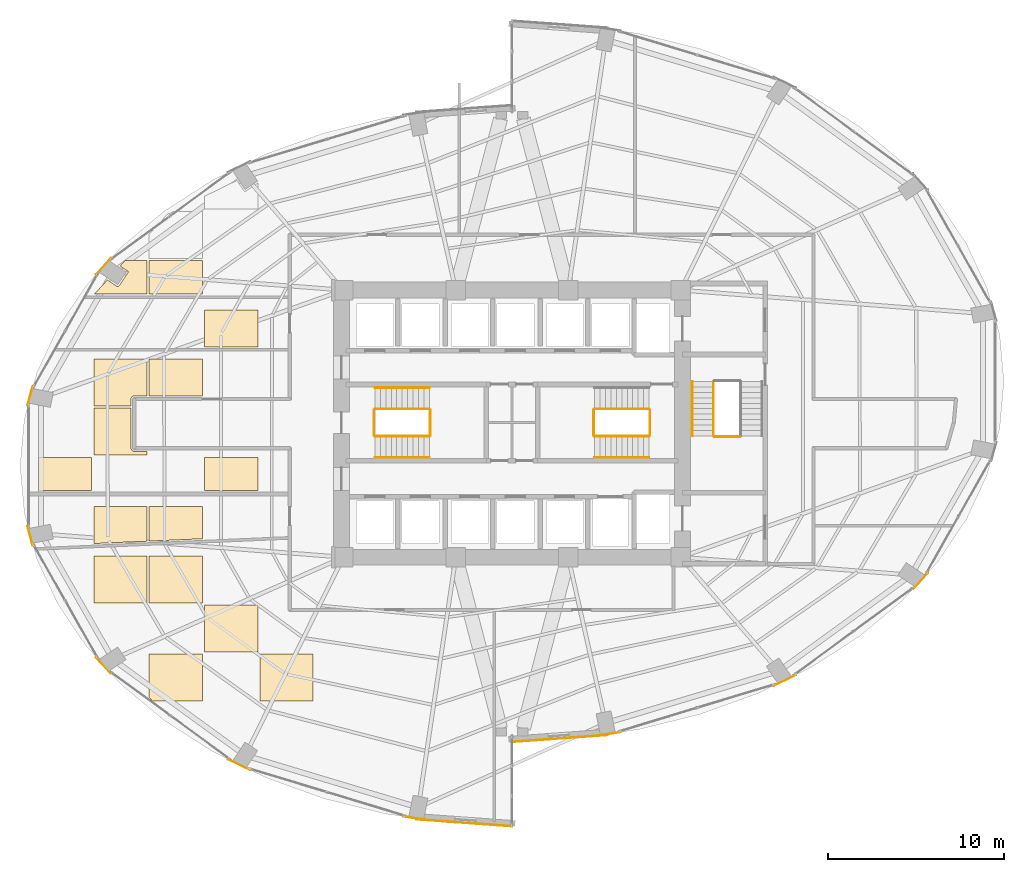
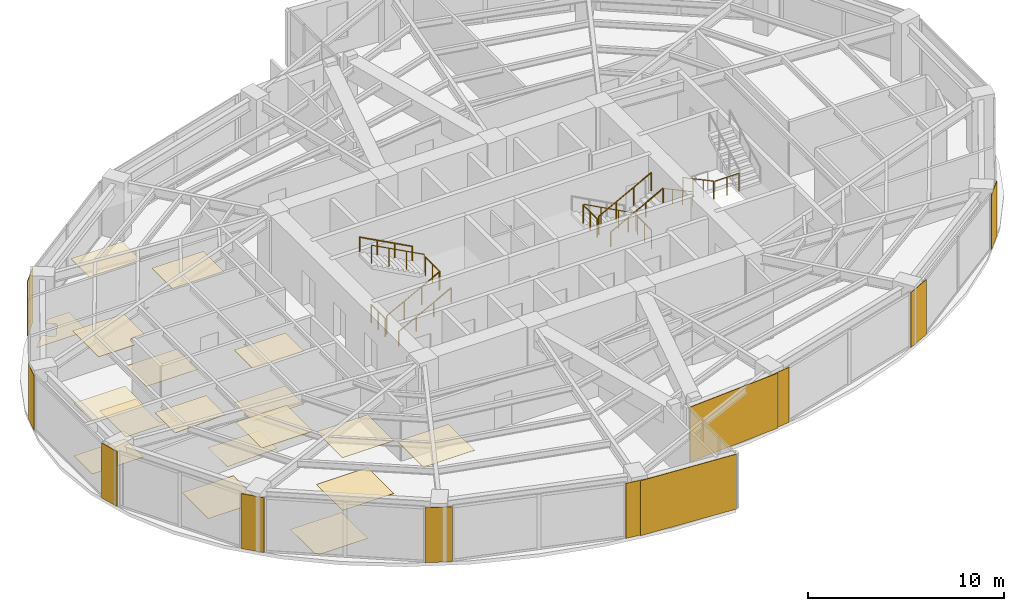
# One storey, part 24 of 25: 29 coverings, 14 railings.
"""IFC4 building model written with IfcOpenShell, lengths in metres."""

import ifcopenshell
import ifcopenshell.guid

model = None  # the IFC model being written
_history = None  # IfcOwnerHistory: only IFC2X3 demands one
_inside = {}  # id of a spatial element -> (the spatial element, [elements in it])
_under = {}  # id of a project, library or spatial element -> (it, [spatial elements below it])
_declared = {}  # id of a project -> (the project, [libraries it declares])
_typed = {}  # id of a type object -> (the type object, [elements of that type])
_made_of = {}  # id of a material, layer set ... -> (it, [elements and type objects made of it])


def new_model(schema):
    """Start an empty IFC model of exactly this schema.

    Asked for "IFC4X3", IfcOpenShell would pick the latest addendum, in which some entities
    have other attributes; the version numbers below select the first issue.
    IFC2X3 requires an IfcOwnerHistory on every rooted entity: one is made here for all.
    """
    global model, _history
    if schema == "IFC4X3":
        model = ifcopenshell.file(schema_version=(4, 3, 0, 0))
    else:
        model = ifcopenshell.file(schema=schema)
    _inside.clear()
    _under.clear()
    _declared.clear()
    _typed.clear()
    _made_of.clear()
    _history = None
    if model.schema == "IFC2X3":
        org = make("IfcOrganization", Name="unknown")
        user = make(
            "IfcPersonAndOrganization",
            ThePerson=make("IfcPerson", FamilyName="unknown"),
            TheOrganization=org,
        )
        app = make(
            "IfcApplication",
            ApplicationDeveloper=org,
            Version="unknown",
            ApplicationFullName="unknown",
            ApplicationIdentifier="unknown",
        )
        _history = make(
            "IfcOwnerHistory",
            OwningUser=user,
            OwningApplication=app,
            ChangeAction="ADDED",
            CreationDate=0,
        )
    return model


def make(cls, **values):
    """One entity of the class cls with the attributes given. An attribute that is None is left unset."""
    return model.create_entity(
        cls, **{name: value for name, value in values.items() if value is not None}
    )


def rooted(cls, **values):
    """An entity with a GlobalId (a new one), such as an element, a storey or a relation."""
    return make(cls, GlobalId=ifcopenshell.guid.new(), OwnerHistory=_history, **values)


def si_unit(unit_type, name, prefix=None):
    """IfcSIUnit, for example si_unit("LENGTHUNIT", "METRE", prefix="MILLI")."""
    return make("IfcSIUnit", UnitType=unit_type, Prefix=prefix, Name=name)


def assignment(units):
    """IfcUnitAssignment: the units of a project."""
    return None if units is None else make("IfcUnitAssignment", Units=units)


def point(xyz):
    """IfcCartesianPoint."""
    return None if xyz is None else make("IfcCartesianPoint", Coordinates=xyz)


def direction(xyz):
    """IfcDirection."""
    return None if xyz is None else make("IfcDirection", DirectionRatios=xyz)


def frame(location, z_axis=None, x_axis=None):
    """IfcAxis2Placement3D, a coordinate frame: its origin and axes. An axis left out is left unset."""
    return make(
        "IfcAxis2Placement3D",
        Location=point(location),
        Axis=direction(z_axis),
        RefDirection=direction(x_axis),
    )


def frame_2d(location, x_axis=None):
    """IfcAxis2Placement2D, a coordinate frame in the plane: its origin and x axis."""
    return make(
        "IfcAxis2Placement2D", Location=point(location), RefDirection=direction(x_axis)
    )


def origin():
    """The frame at (0, 0, 0) with its axes left unset."""
    return frame((0.0, 0.0, 0.0))


def origin_2d():
    """The frame at (0, 0) in the plane with its x axis left unset."""
    return frame_2d((0.0, 0.0))


def place(relative_to, where):
    """IfcLocalPlacement: puts the frame where relative to a parent placement (None: the world)."""
    return make(
        "IfcLocalPlacement", PlacementRelTo=relative_to, RelativePlacement=where
    )


def context(
    kind, dimensions, precision=None, world=None, true_north=None, identifier=None
):
    """IfcGeometricRepresentationContext, for example the 3D "Model" context."""
    return make(
        "IfcGeometricRepresentationContext",
        ContextIdentifier=identifier,
        ContextType=kind,
        CoordinateSpaceDimension=dimensions,
        Precision=precision,
        WorldCoordinateSystem=world,
        TrueNorth=true_north,
    )


def subcontext(parent, identifier, kind, view, scale=None):
    """IfcGeometricRepresentationSubContext, for example "Body" below "Model"."""
    return make(
        "IfcGeometricRepresentationSubContext",
        ContextIdentifier=identifier,
        ContextType=kind,
        ParentContext=parent,
        TargetScale=scale,
        TargetView=view,
    )


def project(units=None, contexts=None):
    """IfcProject with its units and contexts."""
    return rooted(
        "IfcProject",
        Name="project",
        RepresentationContexts=contexts,
        UnitsInContext=assignment(units),
    )


def spatial(cls, under=None, at=None, **own):
    """A site, building, storey or space (cls), placed at a placement, below another one or the project."""
    s = rooted(cls, ObjectPlacement=at, **own)
    if under is not None:
        _under.setdefault(under.id(), (under, []))[1].append(s)
    return s


def polyline(points):
    """IfcPolyline through the points."""
    return make("IfcPolyline", Points=[point(p) for p in points])


def profile(cls, at=None, kind="AREA", **sizes):
    """A parametric profile (cls). Its sizes go by their IFC names, for example OverallWidth=200.0."""
    return make(cls, ProfileType=kind, Position=at, **sizes)


def rectangle(**sizes):
    """IfcRectangleProfileDef."""
    return profile("IfcRectangleProfileDef", **sizes)


def circle(**sizes):
    """IfcCircleProfileDef."""
    return profile("IfcCircleProfileDef", **sizes)


def outline(outer, holes=None, kind="AREA"):
    """IfcArbitraryClosedProfileDef: a profile drawn as a closed curve; with holes, ...WithVoids."""
    if holes is None:
        return make("IfcArbitraryClosedProfileDef", ProfileType=kind, OuterCurve=outer)
    return make(
        "IfcArbitraryProfileDefWithVoids",
        ProfileType=kind,
        OuterCurve=outer,
        InnerCurves=holes,
    )


def extrude(swept, where, along, depth):
    """IfcExtrudedAreaSolid: the profile swept, set in the frame where, extruded along a direction by depth."""
    return make(
        "IfcExtrudedAreaSolid",
        SweptArea=swept,
        Position=where,
        ExtrudedDirection=direction(along),
        Depth=depth,
    )


def shape(context_of_items, identifier, shape_type, items):
    """IfcShapeRepresentation: the items that make up one representation, for example the "Body"."""
    return make(
        "IfcShapeRepresentation",
        ContextOfItems=context_of_items,
        RepresentationIdentifier=identifier,
        RepresentationType=shape_type,
        Items=items,
    )


def material(Name=None, Category=None):
    """IfcMaterial."""
    return make("IfcMaterial", Name=Name, Category=Category)


def layer(
    of_material, thickness, ventilated=None, Name=None, Category=None, Priority=None
):
    """IfcMaterialLayer: one layer of a wall or slab, of a material (None: an air gap)."""
    return make(
        "IfcMaterialLayer",
        Material=of_material,
        LayerThickness=thickness,
        IsVentilated=ventilated,
        Name=Name,
        Category=Category,
        Priority=Priority,
    )


def layer_set(layers, Name=None):
    """IfcMaterialLayerSet."""
    return make("IfcMaterialLayerSet", MaterialLayers=layers, LayerSetName=Name)


def made_of(thing, what):
    """Note that an element or type object is made of a material, layer set ...; save() writes the relation."""
    if what is not None:
        _made_of.setdefault(what.id(), (what, []))[1].append(thing)
    return thing


def type_object(cls, material=None, **own):
    """A type object (cls), such as IfcWallType, which elements share."""
    return made_of(rooted(cls, **own), material)


def element(
    cls,
    number,
    at=None,
    inside=None,
    cuts=None,
    type_object=None,
    material=None,
    context=None,
    identifier="Body",
    shape_type=None,
    held_by="IfcProductDefinitionShape",
    body=None,
    shapes=None,
    **own,
):
    """One element of the class cls, such as IfcWall. Its Tag is "e" and its number.

    at: its placement. inside: the storey or other place that contains it. cuts: it is an
    opening in that element (IfcRelVoidsElement). A single representation is given by context,
    identifier, shape_type and body (its items); several are given by shapes. held_by: the class
    of the entity that holds the representations. save() writes the other relations.
    """
    e = rooted(cls, Tag="e%d" % number, ObjectPlacement=at, **own)
    if body is not None:
        shapes = [shape(context, identifier, shape_type, body)]
    if shapes is not None:
        e.Representation = make(held_by, Representations=shapes)
    if inside is not None:
        _inside.setdefault(inside.id(), (inside, []))[1].append(e)
    if cuts is not None:
        rooted(
            "IfcRelVoidsElement", RelatingBuildingElement=cuts, RelatedOpeningElement=e
        )
    if type_object is not None:
        _typed.setdefault(type_object.id(), (type_object, []))[1].append(e)
    return made_of(e, material)


def aggregate(whole, parts):
    """IfcRelAggregates: a whole, such as a stair, and the parts it consists of."""
    return rooted("IfcRelAggregates", RelatingObject=whole, RelatedObjects=parts)


def save(model, path):
    """Write the relations noted so far, then the file.

    IfcRelAggregates (storeys below a building ...), IfcRelContainedInSpatialStructure (elements
    in a storey), IfcRelDefinesByType, IfcRelAssociatesMaterial and IfcRelDeclares: one each for
    every whole, place, type object, material and project.
    """
    for whole, parts in _under.values():
        aggregate(whole, parts)
    for where, things in _inside.values():
        rooted(
            "IfcRelContainedInSpatialStructure",
            RelatedElements=things,
            RelatingStructure=where,
        )
    for kind, things in _typed.values():
        rooted("IfcRelDefinesByType", RelatedObjects=things, RelatingType=kind)
    for what, things in _made_of.values():
        rooted("IfcRelAssociatesMaterial", RelatedObjects=things, RelatingMaterial=what)
    for by, libraries in _declared.values():
        rooted("IfcRelDeclares", RelatingContext=by, RelatedDefinitions=libraries)
    model.write(path)


model = new_model("IFC4")

# Units and contexts
model_context = context("Model", 3, precision=1e-05, world=origin(), true_north=direction((0.0, 1.0)))
body_context = subcontext(model_context, "Body", "Model", "MODEL_VIEW")
ifc_project = project(units=[si_unit("LENGTHUNIT", "METRE"), si_unit("AREAUNIT", "SQUARE_METRE"), si_unit("VOLUMEUNIT", "CUBIC_METRE"), si_unit("PLANEANGLEUNIT", "RADIAN"), si_unit("MASSUNIT", "GRAM", prefix="KILO")], contexts=[model_context])

# Site, building, storey
site_placement = place(None, origin())
site = spatial("IfcSite", under=ifc_project, at=site_placement, CompositionType="ELEMENT")
building_placement = place(site_placement, origin())
building = spatial("IfcBuilding", under=site, at=building_placement, Name="Lazwardi Medical Tower", CompositionType="ELEMENT")
storey_placement = place(building_placement, frame((0.0, 0.0, 43.43994140625)))
storey = spatial("IfcBuildingStorey", under=building, at=storey_placement, Name="L10", CompositionType="ELEMENT", Elevation=43.43994140625)

# Coverings
ifc_material_1 = material(Name="Anodised bronze aluminium cassette cladding", Category="aluminium")
ifc_layer_1 = layer(ifc_material_1, 0.030029296875)
ifc_layer_set_1 = layer_set([ifc_layer_1], Name="Anodised bronze aluminium cassette cladding")
covering_type_1 = type_object("IfcCoveringType", Name="COV-CLD-BRZ", PredefinedType="CLADDING", material=ifc_layer_set_1)
covering_1_placement = place(storey_placement, frame((41.454345703125, 10.33251953125, 0.0), z_axis=(0.0, 0.0, 1.0), x_axis=(0.98957259946, 0.144034962415, 0.0)))
element("IfcCovering", 1, at=covering_1_placement, inside=storey, type_object=covering_type_1, Name="L10 Mega-column bronze cassette cover M01", PredefinedType="CLADDING", context=body_context, shape_type="SweptSolid", body=[
    extrude(rectangle(XDim=1.49951171875, YDim=0.030029296875, at=origin_2d()), origin(), (0.0, 0.0, 1.0), 3.427978515625),
])
covering_2_placement = place(storey_placement, frame((51.532470703125, 13.3876953125, 0.0), z_axis=(0.0, 0.0, 1.0), x_axis=(0.898334492373, 0.439312121178, 0.0)))
element("IfcCovering", 2, at=covering_2_placement, inside=storey, type_object=covering_type_1, Name="L10 Mega-column bronze cassette cover M02", PredefinedType="CLADDING", context=body_context, shape_type="SweptSolid", body=[
    extrude(rectangle(XDim=1.400390625, YDim=0.030029296875, at=origin_2d()), origin(), (0.0, 0.0, 1.0), 3.427978515625),
])
for number, where, z_axis, x_axis, name in (
    (3, (59.24609375, 19.03271484375, 0.0), (0.0, 0.0, 1.0), (0.674252120961, 0.738501237223, 0.0), "L10 Mega-column bronze cassette cover M03"),
    (4, (12.75390625, 36.96728515625, 0.0), (0.0, 0.0, 1.0), (-0.674252120961, -0.738501237223, 0.0), "L10 Mega-column bronze cassette cover M11"),
):
    element("IfcCovering", number, at=place(storey_placement, frame(where, z_axis=z_axis, x_axis=x_axis)), inside=storey, type_object=covering_type_1, Name=name, PredefinedType="CLADDING", context=body_context, shape_type="SweptSolid", body=[
        extrude(rectangle(XDim=1.24658203125, YDim=0.030029296875, at=origin_2d()), origin(), (0.0, 0.0, 1.0), 3.427978515625),
    ])
for number, where, z_axis, x_axis, name in (
    (5, (8.579345703125, 29.591796875, 0.0), (0.0, 0.0, 1.0), (-0.262283496593, -0.964990863902, 0.0), "L10 Mega-column bronze cassette cover M12"),
    (6, (8.579345703125, 21.6083984375, 0.0), (0.0, 0.0, 1.0), (0.262283496593, -0.964990863902, 0.0), "L10 Mega-column bronze cassette cover M13"),
):
    element("IfcCovering", number, at=place(storey_placement, frame(where, z_axis=z_axis, x_axis=x_axis)), inside=storey, type_object=covering_type_1, Name=name, PredefinedType="CLADDING", context=body_context, shape_type="SweptSolid", body=[
        extrude(rectangle(XDim=1.12548828125, YDim=0.030029296875, at=origin_2d()), origin(), (0.0, 0.0, 1.0), 3.427978515625),
    ])
covering_3_placement = place(storey_placement, frame((12.75390625, 14.232666015625, 0.0), z_axis=(0.0, 0.0, 1.0), x_axis=(0.674252120961, -0.738501237223, 0.0)))
element("IfcCovering", 7, at=covering_3_placement, inside=storey, type_object=covering_type_1, Name="L10 Mega-column bronze cassette cover M14", PredefinedType="CLADDING", context=body_context, shape_type="SweptSolid", body=[
    extrude(rectangle(XDim=1.24658203125, YDim=0.030029296875, at=origin_2d()), origin(), (0.0, 0.0, 1.0), 3.427978515625),
])
covering_4_placement = place(storey_placement, frame((20.467529296875, 8.587646484375, 0.0), z_axis=(0.0, 0.0, 1.0), x_axis=(0.898334492373, -0.439312121178, 0.0)))
element("IfcCovering", 8, at=covering_4_placement, inside=storey, type_object=covering_type_1, Name="L10 Mega-column bronze cassette cover M15", PredefinedType="CLADDING", context=body_context, shape_type="SweptSolid", body=[
    extrude(rectangle(XDim=1.400390625, YDim=0.030029296875, at=origin_2d()), origin(), (0.0, 0.0, 1.0), 3.427978515625),
])
covering_5_placement = place(storey_placement, frame((30.545654296875, 5.53271484375, 0.0), z_axis=(0.0, 0.0, 1.0), x_axis=(0.98957259946, -0.144034962415, 0.0)))
element("IfcCovering", 9, at=covering_5_placement, inside=storey, type_object=covering_type_1, Name="L10 Mega-column bronze cassette cover M16", PredefinedType="CLADDING", context=body_context, shape_type="SweptSolid", body=[
    extrude(rectangle(XDim=1.49951171875, YDim=0.030029296875, at=origin_2d()), origin(), (0.0, 0.0, 1.0), 3.427978515625),
])
ifc_material_2 = material(Name="Turquoise glazed ceramic tilework cladding", Category="masonry")
ifc_layer_2 = layer(ifc_material_2, 0.034912109375)
ifc_layer_set_2 = layer_set([ifc_layer_2], Name="Turquoise glazed ceramic tilework cladding")
covering_type_2 = type_object("IfcCoveringType", Name="COV-CLD-TRQ", PredefinedType="CLADDING", material=ifc_layer_set_2)
covering_6_placement = place(storey_placement, frame((38.728271484375, 10.080322265625, 0.0), z_axis=(0.0, 0.0, 1.0), x_axis=(0.997421404513, 0.071767275412, 0.0)))
element("IfcCovering", 10, at=covering_6_placement, inside=storey, type_object=covering_type_2, Name="L10 Turquoise glazed ceramic tilework cladding", PredefinedType="CLADDING", context=body_context, shape_type="SweptSolid", body=[
    extrude(rectangle(XDim=5.4453125, YDim=0.034912109375, at=origin_2d()), origin(), (0.0, 0.0, 1.0), 3.427978515625),
])
covering_7_placement = place(storey_placement, frame((33.271484375, 5.280517578125, 0.0), z_axis=(0.0, 0.0, 1.0), x_axis=(0.997420903458, -0.071774238726, 0.0)))
element("IfcCovering", 11, at=covering_7_placement, inside=storey, type_object=covering_type_2, Name="L10 Turquoise glazed ceramic tilework cladding", PredefinedType="CLADDING", context=body_context, shape_type="SweptSolid", body=[
    extrude(rectangle(XDim=5.44482421875, YDim=0.034912109375, at=origin_2d()), origin(), (0.0, 0.0, 1.0), 3.427978515625),
])
ifc_material_3 = material(Name="Acoustic mineral fibre tile")
ifc_layer_3 = layer(ifc_material_3, 0.02490234375)
ifc_layer_set_3 = layer_set([ifc_layer_3], Name="Acoustic mineral fibre tile")
covering_type_3 = type_object("IfcCoveringType", Name="COV-CLG-01", PredefinedType="CEILING", material=ifc_layer_set_3)
covering_8_placement = place(storey_placement, frame((0.0, 0.0, 3.282958984375)))
element("IfcCovering", 12, at=covering_8_placement, inside=storey, type_object=covering_type_3, Name="L10 Clinical Acoustic Ceiling 1", PredefinedType="CEILING", context=body_context, shape_type="SweptSolid", body=[
    extrude(outline(polyline([(9.052978515625, 24.199951171875), (12.0830078125, 24.199951171875), (12.0830078125, 26.08251953125), (9.052978515625, 26.08251953125), (9.052978515625, 24.199951171875)])), origin(), (0.0, 0.0, 1.0), 0.025146484375),
])
covering_9_placement = place(storey_placement, frame((0.0, 0.0, 3.282958984375)))
element("IfcCovering", 13, at=covering_9_placement, inside=storey, type_object=covering_type_3, Name="L10 Clinical Acoustic Ceiling 2", PredefinedType="CEILING", context=body_context, shape_type="SweptSolid", body=[
    extrude(outline(polyline([(12.202880859375, 21.177978515625), (15.23291015625, 21.310546875), (15.23291015625, 23.282470703125), (12.202880859375, 23.282470703125), (12.202880859375, 21.177978515625)])), origin(), (0.0, 0.0, 1.0), 0.025146484375),
])
covering_10_placement = place(storey_placement, frame((0.0, 0.0, 3.282958984375)))
element("IfcCovering", 14, at=covering_10_placement, inside=storey, type_object=covering_type_3, Name="L10 Clinical Acoustic Ceiling 3", PredefinedType="CEILING", context=body_context, shape_type="SweptSolid", body=[
    extrude(outline(polyline([(14.324951171875, 29.00244140625), (14.324951171875, 29.39990234375), (14.3251953125, 29.404296875), (14.32568359375, 29.41357421875), (14.326416015625, 29.42041015625), (14.32763671875, 29.4296875), (14.3291015625, 29.43798828125), (14.33154296875, 29.447265625), (14.33349609375, 29.4541015625), (14.336669921875, 29.462890625), (14.340087890625, 29.470703125), (14.343994140625, 29.479248046875), (14.34765625, 29.486083984375), (14.352294921875, 29.493896484375), (14.35693359375, 29.500732421875), (14.362548828125, 29.50830078125), (14.3671875, 29.513916015625), (14.373291015625, 29.520751953125), (14.37939453125, 29.526611328125), (14.38623046875, 29.532958984375), (14.391845703125, 29.53759765625), (14.3994140625, 29.543212890625), (14.406005859375, 29.547607421875), (14.4140625, 29.552490234375), (14.4208984375, 29.555908203125), (14.42919921875, 29.56005859375), (14.43701171875, 29.563232421875), (14.44580078125, 29.56640625), (14.452880859375, 29.568603515625), (14.4619140625, 29.57080078125), (14.47021484375, 29.572509765625), (14.4794921875, 29.57373046875), (14.486328125, 29.574462890625), (14.49560546875, 29.574951171875), (14.5, 29.574951171875), (15.23291015625, 29.574951171875), (15.23291015625, 31.6826171875), (12.202880859375, 31.6826171875), (12.202880859375, 29.00244140625), (14.324951171875, 29.00244140625)])), origin(), (0.0, 0.0, 1.0), 0.025146484375),
])
covering_11_placement = place(storey_placement, frame((0.0, 0.0, 3.282958984375)))
element("IfcCovering", 15, at=covering_11_placement, inside=storey, type_object=covering_type_3, Name="L10 Clinical Acoustic Ceiling 4", PredefinedType="CEILING", context=body_context, shape_type="SweptSolid", body=[
    extrude(outline(polyline([(18.3828125, 17.802490234375), (18.3828125, 20.482421875), (15.352783203125, 20.482421875), (15.352783203125, 17.802490234375), (18.3828125, 17.802490234375)])), origin(), (0.0, 0.0, 1.0), 0.025146484375),
])
covering_12_placement = place(storey_placement, frame((0.0, 0.0, 3.282958984375)))
element("IfcCovering", 16, at=covering_12_placement, inside=storey, type_object=covering_type_3, Name="L10 Clinical Acoustic Ceiling 5", PredefinedType="CEILING", context=body_context, shape_type="SweptSolid", body=[
    extrude(outline(polyline([(15.352783203125, 35.364990234375), (18.3828125, 35.364990234375), (18.3828125, 37.282470703125), (15.352783203125, 37.282470703125), (15.352783203125, 35.364990234375)])), origin(), (0.0, 0.0, 1.0), 0.025146484375),
])
covering_13_placement = place(storey_placement, frame((0.0, 0.0, 3.282958984375)))
element("IfcCovering", 17, at=covering_13_placement, inside=storey, type_object=covering_type_3, Name="L10 Clinical Acoustic Ceiling 6", PredefinedType="CEILING", context=body_context, shape_type="SweptSolid", body=[
    extrude(outline(polyline([(21.532958984375, 15.00244140625), (21.532958984375, 17.6826171875), (18.5029296875, 17.6826171875), (18.5029296875, 15.00244140625), (21.532958984375, 15.00244140625)])), origin(), (0.0, 0.0, 1.0), 0.025146484375),
])
covering_14_placement = place(storey_placement, frame((0.0, 0.0, 3.282958984375)))
element("IfcCovering", 18, at=covering_14_placement, inside=storey, type_object=covering_type_3, Name="L10 Clinical Acoustic Ceiling 7", PredefinedType="CEILING", context=body_context, shape_type="SweptSolid", body=[
    extrude(outline(polyline([(18.5029296875, 24.199951171875), (21.532958984375, 24.199951171875), (21.532958984375, 26.08251953125), (18.5029296875, 26.08251953125), (18.5029296875, 24.199951171875)])), origin(), (0.0, 0.0, 1.0), 0.025146484375),
])
covering_15_placement = place(storey_placement, frame((0.0, 0.0, 3.282958984375)))
element("IfcCovering", 19, at=covering_15_placement, inside=storey, type_object=covering_type_3, Name="L10 Clinical Acoustic Ceiling 8", PredefinedType="CEILING", context=body_context, shape_type="SweptSolid", body=[
    extrude(outline(polyline([(18.5029296875, 32.364990234375), (21.532958984375, 32.364990234375), (21.532958984375, 34.482421875), (18.5029296875, 34.482421875), (18.5029296875, 32.364990234375)])), origin(), (0.0, 0.0, 1.0), 0.025146484375),
])
covering_16_placement = place(storey_placement, frame((0.0, 0.0, 3.282958984375)))
element("IfcCovering", 20, at=covering_16_placement, inside=storey, type_object=covering_type_3, Name="L10 Clinical Acoustic Ceiling 10", PredefinedType="CEILING", context=body_context, shape_type="SweptSolid", body=[
    extrude(outline(polyline([(24.682861328125, 12.202392578125), (24.682861328125, 14.882568359375), (21.65283203125, 14.882568359375), (21.65283203125, 12.202392578125), (24.682861328125, 12.202392578125)])), origin(), (0.0, 0.0, 1.0), 0.025146484375),
])
ifc_material_4 = material(Name="Anti-static hospital vinyl sheet flooring")
ifc_layer_4 = layer(ifc_material_4, 0.014892578125)
ifc_layer_set_4 = layer_set([ifc_layer_4], Name="Anti-static hospital vinyl sheet flooring")
covering_type_4 = type_object("IfcCoveringType", Name="COV-FLR-01", PredefinedType="FLOORING", material=ifc_layer_set_4)
covering_17_placement = place(storey_placement, origin())
element("IfcCovering", 21, at=covering_17_placement, inside=storey, type_object=covering_type_4, Name="L10 Clinical Vinyl Flooring 1", PredefinedType="FLOORING", context=body_context, shape_type="SweptSolid", body=[
    extrude(outline(polyline([(9.052978515625, 24.199951171875), (12.0830078125, 24.199951171875), (12.0830078125, 26.08251953125), (9.052978515625, 26.08251953125), (9.052978515625, 24.199951171875)])), origin(), (0.0, 0.0, 1.0), 0.01513671875),
])
covering_18_placement = place(storey_placement, origin())
element("IfcCovering", 22, at=covering_18_placement, inside=storey, type_object=covering_type_4, Name="L10 Clinical Vinyl Flooring 2", PredefinedType="FLOORING", context=body_context, shape_type="SweptSolid", body=[
    extrude(outline(polyline([(15.23291015625, 17.802490234375), (15.23291015625, 20.482421875), (12.202880859375, 20.482421875), (12.202880859375, 17.802490234375), (15.23291015625, 17.802490234375)])), origin(), (0.0, 0.0, 1.0), 0.01513671875),
])
covering_19_placement = place(storey_placement, origin())
element("IfcCovering", 23, at=covering_19_placement, inside=storey, type_object=covering_type_4, Name="L10 Clinical Vinyl Flooring 3", PredefinedType="FLOORING", context=body_context, shape_type="SweptSolid", body=[
    extrude(outline(polyline([(15.23291015625, 26.425048828125), (14.5, 26.425048828125), (14.49560546875, 26.425048828125), (14.486328125, 26.425537109375), (14.4794921875, 26.42626953125), (14.47021484375, 26.427490234375), (14.4619140625, 26.42919921875), (14.452880859375, 26.431396484375), (14.44580078125, 26.43359375), (14.43701171875, 26.436767578125), (14.42919921875, 26.43994140625), (14.4208984375, 26.444091796875), (14.4140625, 26.447509765625), (14.406005859375, 26.452392578125), (14.3994140625, 26.456787109375), (14.391845703125, 26.46240234375), (14.38623046875, 26.467041015625), (14.37939453125, 26.473388671875), (14.373291015625, 26.479248046875), (14.3671875, 26.486083984375), (14.362548828125, 26.49169921875), (14.35693359375, 26.499267578125), (14.352294921875, 26.506103515625), (14.34765625, 26.513916015625), (14.343994140625, 26.520751953125), (14.340087890625, 26.529296875), (14.336669921875, 26.537109375), (14.33349609375, 26.5458984375), (14.33154296875, 26.552734375), (14.3291015625, 26.56201171875), (14.32763671875, 26.5703125), (14.326416015625, 26.57958984375), (14.32568359375, 26.58642578125), (14.3251953125, 26.595703125), (14.324951171875, 26.60009765625), (14.324951171875, 28.882568359375), (12.202880859375, 28.882568359375), (12.202880859375, 26.202392578125), (15.23291015625, 26.202392578125), (15.23291015625, 26.425048828125)])), origin(), (0.0, 0.0, 1.0), 0.01513671875),
])
covering_20_placement = place(storey_placement, origin())
element("IfcCovering", 24, at=covering_20_placement, inside=storey, type_object=covering_type_4, Name="L10 Clinical Vinyl Flooring 4", PredefinedType="FLOORING", context=body_context, shape_type="SweptSolid", body=[
    extrude(outline(polyline([(13.9794921875, 37.282470703125), (13.69677734375, 36.97314453125), (14.11083984375, 36.696533203125), (14.1171875, 36.69189453125), (14.123046875, 36.6865234375), (14.128173828125, 36.6806640625), (14.1328125, 36.67431640625), (14.136962890625, 36.667724609375), (14.140380859375, 36.66064453125), (14.14306640625, 36.6533203125), (14.14501953125, 36.6455078125), (14.14599609375, 36.6376953125), (14.146484375, 36.6298828125), (14.14599609375, 36.622314453125), (14.14501953125, 36.614501953125), (14.14306640625, 36.606689453125), (14.140380859375, 36.599365234375), (14.136962890625, 36.59228515625), (14.1328125, 36.585693359375), (13.6328125, 35.83740234375), (13.628173828125, 35.830810546875), (13.623046875, 35.8251953125), (13.6171875, 35.81982421875), (13.61083984375, 35.815185546875), (13.60400390625, 35.81103515625), (13.596923828125, 35.807861328125), (13.589599609375, 35.80517578125), (13.58203125, 35.80322265625), (13.57421875, 35.802001953125), (13.56640625, 35.8017578125), (13.55859375, 35.802001953125), (13.55078125, 35.80322265625), (13.543212890625, 35.80517578125), (13.535888671875, 35.807861328125), (13.52880859375, 35.81103515625), (13.52197265625, 35.815185546875), (12.972900390625, 36.181884765625), (12.2255859375, 35.364990234375), (15.23291015625, 35.364990234375), (15.23291015625, 37.282470703125), (13.9794921875, 37.282470703125)])), origin(), (0.0, 0.0, 1.0), 0.01513671875),
])
covering_21_placement = place(storey_placement, origin())
element("IfcCovering", 25, at=covering_21_placement, inside=storey, type_object=covering_type_4, Name="L10 Clinical Vinyl Flooring 5", PredefinedType="FLOORING", context=body_context, shape_type="SweptSolid", body=[
    extrude(outline(polyline([(15.352783203125, 12.416259765625), (15.548583984375, 12.202392578125), (18.3828125, 12.202392578125), (18.3828125, 14.882568359375), (15.352783203125, 14.882568359375), (15.352783203125, 12.416259765625)])), origin(), (0.0, 0.0, 1.0), 0.01513671875),
])
covering_22_placement = place(storey_placement, origin())
element("IfcCovering", 26, at=covering_22_placement, inside=storey, type_object=covering_type_4, Name="L10 Clinical Vinyl Flooring 6", PredefinedType="FLOORING", context=body_context, shape_type="SweptSolid", body=[
    extrude(outline(polyline([(15.352783203125, 21.31591796875), (18.3828125, 21.448486328125), (18.3828125, 23.282470703125), (15.352783203125, 23.282470703125), (15.352783203125, 21.31591796875)])), origin(), (0.0, 0.0, 1.0), 0.01513671875),
])
covering_23_placement = place(storey_placement, origin())
element("IfcCovering", 27, at=covering_23_placement, inside=storey, type_object=covering_type_4, Name="L10 Clinical Vinyl Flooring 7", PredefinedType="FLOORING", context=body_context, shape_type="SweptSolid", body=[
    extrude(outline(polyline([(15.352783203125, 29.574951171875), (18.3828125, 29.574951171875), (18.3828125, 31.6826171875), (15.352783203125, 31.6826171875), (15.352783203125, 29.574951171875)])), origin(), (0.0, 0.0, 1.0), 0.01513671875),
])
covering_24_placement = place(storey_placement, origin())
element("IfcCovering", 28, at=covering_24_placement, inside=storey, type_object=covering_type_4, Name="L10 Clinical Vinyl Flooring 9", PredefinedType="FLOORING", context=body_context, shape_type="SweptSolid", body=[
    extrude(outline(polyline([(21.532958984375, 15.00244140625), (21.532958984375, 17.6826171875), (18.5029296875, 17.6826171875), (18.5029296875, 15.00244140625), (21.532958984375, 15.00244140625)])), origin(), (0.0, 0.0, 1.0), 0.01513671875),
])
covering_25_placement = place(storey_placement, origin())
element("IfcCovering", 29, at=covering_25_placement, inside=storey, type_object=covering_type_4, Name="L10 Clinical Vinyl Flooring 10", PredefinedType="FLOORING", context=body_context, shape_type="SweptSolid", body=[
    extrude(outline(polyline([(18.5029296875, 24.199951171875), (21.532958984375, 24.199951171875), (21.532958984375, 26.08251953125), (18.5029296875, 26.08251953125), (18.5029296875, 24.199951171875)])), origin(), (0.0, 0.0, 1.0), 0.01513671875),
])

# Railings
ifc_material_5 = material(Name="Stainless steel Grade 316", Category="steel")
railing_type_1 = type_object("IfcRailingType", Name="RLG-GRD-1150", PredefinedType="GUARDRAIL", material=ifc_material_5)
railing_1_placement = place(storey_placement, frame((28.199951171875, 27.2900390625, 0.165771484375)))
element("IfcRailing", 30, at=railing_1_placement, inside=storey, type_object=railing_type_1, Name="L10 ST1 stair guard 1", PredefinedType="GUARDRAIL", context=body_context, shape_type="SweptSolid", body=[
    extrude(circle(Radius=0.02392578125, at=origin_2d()), frame((0.0, 0.0, 1.1259765625), z_axis=(0.881783298633, 0.0, 0.471654761719), x_axis=(0.0, 1.0, 0.0)), (0.0, 0.0, 1.0), 3.515625),
    extrude(circle(Radius=0.02099609375, at=origin_2d()), origin(), (0.0, 0.0, 1.0), 1.099853515625),
    extrude(circle(Radius=0.02099609375, at=origin_2d()), frame((1.033447265625, 0.0, 0.552734375)), (0.0, 0.0, 1.0), 1.099853515625),
    extrude(circle(Radius=0.02099609375, at=origin_2d()), frame((2.066650390625, 0.0, 1.10546875)), (0.0, 0.0, 1.0), 1.099853515625),
    extrude(circle(Radius=0.02099609375, at=origin_2d()), frame((3.10009765625, 0.0, 1.658203125)), (0.0, 0.0, 1.0), 1.099853515625),
])
railing_2_placement = place(storey_placement, frame((31.35009765625, 27.340087890625, 1.823974609375)))
element("IfcRailing", 31, at=railing_2_placement, inside=storey, type_object=railing_type_1, Name="L10 ST1 stair guard 2", PredefinedType="GUARDRAIL", context=body_context, shape_type="SweptSolid", body=[
    extrude(circle(Radius=0.02392578125, at=origin_2d()), frame((0.0, 0.0, 1.1259765625), z_axis=(0.0, 1.0, 0.0), x_axis=(-1.0, 0.0, 0.0)), (0.0, 0.0, 1.0), 1.43994140625),
    extrude(circle(Radius=0.02099609375, at=origin_2d()), origin(), (0.0, 0.0, 1.0), 1.099853515625),
    extrude(circle(Radius=0.02099609375, at=origin_2d()), frame((0.0, 0.719970703125, 0.0)), (0.0, 0.0, 1.0), 1.099853515625),
    extrude(circle(Radius=0.02099609375, at=origin_2d()), frame((0.0, 1.43994140625, 0.0)), (0.0, 0.0, 1.0), 1.099853515625),
])
railing_3_placement = place(storey_placement, frame((31.300048828125, 28.830078125, 1.989990234375)))
element("IfcRailing", 32, at=railing_3_placement, inside=storey, type_object=railing_type_1, Name="L10 ST1 stair guard 3", PredefinedType="GUARDRAIL", context=body_context, shape_type="SweptSolid", body=[
    extrude(circle(Radius=0.02392578125, at=origin_2d()), frame((0.0, 0.0, 1.1259765625), z_axis=(-0.881812178953, 0.0, 0.471600764472), x_axis=(0.0, -1.0, 0.0)), (0.0, 0.0, 1.0), 3.515625),
    extrude(circle(Radius=0.02099609375, at=origin_2d()), origin(), (0.0, 0.0, 1.0), 1.099853515625),
    extrude(circle(Radius=0.02099609375, at=origin_2d()), frame((-1.033447265625, 0.0, 0.552734375)), (0.0, 0.0, 1.0), 1.099853515625),
    extrude(circle(Radius=0.02099609375, at=origin_2d()), frame((-2.066650390625, 0.0, 1.105224609375)), (0.0, 0.0, 1.0), 1.099853515625),
    extrude(circle(Radius=0.02099609375, at=origin_2d()), frame((-3.10009765625, 0.0, 1.657958984375)), (0.0, 0.0, 1.0), 1.099853515625),
])
railing_4_placement = place(storey_placement, frame((28.14990234375, 27.340087890625, 0.0)))
element("IfcRailing", 33, at=railing_4_placement, inside=storey, type_object=railing_type_1, Name="L10 ST1 stair guard 4", PredefinedType="GUARDRAIL", context=body_context, shape_type="SweptSolid", body=[
    extrude(circle(Radius=0.02392578125, at=origin_2d()), frame((0.0, 0.0, 1.1259765625), z_axis=(0.0, 1.0, 0.0), x_axis=(-1.0, 0.0, 0.0)), (0.0, 0.0, 1.0), 1.43994140625),
    extrude(circle(Radius=0.02099609375, at=origin_2d()), origin(), (0.0, 0.0, 1.0), 1.099853515625),
    extrude(circle(Radius=0.02099609375, at=origin_2d()), frame((0.0, 0.719970703125, 0.0)), (0.0, 0.0, 1.0), 1.099853515625),
    extrude(circle(Radius=0.02099609375, at=origin_2d()), frame((0.0, 1.43994140625, 0.0)), (0.0, 0.0, 1.0), 1.099853515625),
])
railing_5_placement = place(storey_placement, frame((43.800048828125, 28.830078125, 0.165771484375)))
element("IfcRailing", 34, at=railing_5_placement, inside=storey, type_object=railing_type_1, Name="L10 ST2 stair guard 1", PredefinedType="GUARDRAIL", context=body_context, shape_type="SweptSolid", body=[
    extrude(circle(Radius=0.02392578125, at=origin_2d()), frame((0.0, 0.0, 1.1259765625), z_axis=(-0.881783298633, 0.0, 0.471654761719), x_axis=(0.0, -1.0, 0.0)), (0.0, 0.0, 1.0), 3.515625),
    extrude(circle(Radius=0.02099609375, at=origin_2d()), origin(), (0.0, 0.0, 1.0), 1.099853515625),
    extrude(circle(Radius=0.02099609375, at=origin_2d()), frame((-1.033447265625, 0.0, 0.552734375)), (0.0, 0.0, 1.0), 1.099853515625),
    extrude(circle(Radius=0.02099609375, at=origin_2d()), frame((-2.066650390625, 0.0, 1.10546875)), (0.0, 0.0, 1.0), 1.099853515625),
    extrude(circle(Radius=0.02099609375, at=origin_2d()), frame((-3.10009765625, 0.0, 1.658203125)), (0.0, 0.0, 1.0), 1.099853515625),
])
railing_6_placement = place(storey_placement, frame((40.64990234375, 28.780029296875, 1.823974609375)))
element("IfcRailing", 35, at=railing_6_placement, inside=storey, type_object=railing_type_1, Name="L10 ST2 stair guard 2", PredefinedType="GUARDRAIL", context=body_context, shape_type="SweptSolid", body=[
    extrude(circle(Radius=0.02392578125, at=origin_2d()), frame((0.0, 0.0, 1.1259765625), z_axis=(0.0, -1.0, 0.0), x_axis=(1.0, 0.0, 0.0)), (0.0, 0.0, 1.0), 1.43994140625),
    extrude(circle(Radius=0.02099609375, at=origin_2d()), origin(), (0.0, 0.0, 1.0), 1.099853515625),
    extrude(circle(Radius=0.02099609375, at=origin_2d()), frame((0.0, -0.719970703125, 0.0)), (0.0, 0.0, 1.0), 1.099853515625),
    extrude(circle(Radius=0.02099609375, at=origin_2d()), frame((0.0, -1.43994140625, 0.0)), (0.0, 0.0, 1.0), 1.099853515625),
])
railing_7_placement = place(storey_placement, frame((40.699951171875, 27.2900390625, 1.989990234375)))
element("IfcRailing", 36, at=railing_7_placement, inside=storey, type_object=railing_type_1, Name="L10 ST2 stair guard 3", PredefinedType="GUARDRAIL", context=body_context, shape_type="SweptSolid", body=[
    extrude(circle(Radius=0.02392578125, at=origin_2d()), frame((0.0, 0.0, 1.1259765625), z_axis=(0.881812178953, 0.0, 0.471600764472), x_axis=(0.0, 1.0, 0.0)), (0.0, 0.0, 1.0), 3.515625),
    extrude(circle(Radius=0.02099609375, at=origin_2d()), origin(), (0.0, 0.0, 1.0), 1.099853515625),
    extrude(circle(Radius=0.02099609375, at=origin_2d()), frame((1.033447265625, 0.0, 0.552734375)), (0.0, 0.0, 1.0), 1.099853515625),
    extrude(circle(Radius=0.02099609375, at=origin_2d()), frame((2.066650390625, 0.0, 1.105224609375)), (0.0, 0.0, 1.0), 1.099853515625),
    extrude(circle(Radius=0.02099609375, at=origin_2d()), frame((3.10009765625, 0.0, 1.657958984375)), (0.0, 0.0, 1.0), 1.099853515625),
])
railing_8_placement = place(storey_placement, frame((43.85009765625, 28.780029296875, 0.0)))
element("IfcRailing", 37, at=railing_8_placement, inside=storey, type_object=railing_type_1, Name="L10 ST2 stair guard 4", PredefinedType="GUARDRAIL", context=body_context, shape_type="SweptSolid", body=[
    extrude(circle(Radius=0.02392578125, at=origin_2d()), frame((0.0, 0.0, 1.1259765625), z_axis=(0.0, -1.0, 0.0), x_axis=(1.0, 0.0, 0.0)), (0.0, 0.0, 1.0), 1.43994140625),
    extrude(circle(Radius=0.02099609375, at=origin_2d()), origin(), (0.0, 0.0, 1.0), 1.099853515625),
    extrude(circle(Radius=0.02099609375, at=origin_2d()), frame((0.0, -0.719970703125, 0.0)), (0.0, 0.0, 1.0), 1.099853515625),
    extrude(circle(Radius=0.02099609375, at=origin_2d()), frame((0.0, -1.43994140625, 0.0)), (0.0, 0.0, 1.0), 1.099853515625),
])
railing_9_placement = place(storey_placement, frame((47.469970703125, 30.39990234375, 0.165771484375)))
element("IfcRailing", 38, at=railing_9_placement, inside=storey, type_object=railing_type_1, Name="L10 ST3 stair guard 1", PredefinedType="GUARDRAIL", context=body_context, shape_type="SweptSolid", body=[
    extrude(circle(Radius=0.02392578125, at=origin_2d()), frame((0.0, 0.0, 1.1259765625), z_axis=(0.0, -0.881767849116, 0.471683644262), x_axis=(1.0, 0.0, 0.0)), (0.0, 0.0, 1.0), 3.515380859375),
    extrude(circle(Radius=0.02099609375, at=origin_2d()), origin(), (0.0, 0.0, 1.0), 1.099853515625),
    extrude(circle(Radius=0.02099609375, at=origin_2d()), frame((0.0, -1.033203125, 0.552734375)), (0.0, 0.0, 1.0), 1.099853515625),
    extrude(circle(Radius=0.02099609375, at=origin_2d()), frame((0.0, -2.066650390625, 1.10546875)), (0.0, 0.0, 1.0), 1.099853515625),
    extrude(circle(Radius=0.02099609375, at=origin_2d()), frame((0.0, -3.099853515625, 1.658203125)), (0.0, 0.0, 1.0), 1.099853515625),
])
railing_10_placement = place(storey_placement, frame((47.52001953125, 27.25, 1.823974609375)))
element("IfcRailing", 39, at=railing_10_placement, inside=storey, type_object=railing_type_1, Name="L10 ST3 stair guard 2", PredefinedType="GUARDRAIL", context=body_context, shape_type="SweptSolid", body=[
    extrude(circle(Radius=0.02392578125, at=origin_2d()), frame((0.0, 0.0, 1.1259765625), z_axis=(1.0, 0.0, 0.0), x_axis=(0.0, 1.0, 0.0)), (0.0, 0.0, 1.0), 1.43994140625),
    extrude(circle(Radius=0.02099609375, at=origin_2d()), origin(), (0.0, 0.0, 1.0), 1.099853515625),
    extrude(circle(Radius=0.02099609375, at=origin_2d()), frame((0.719970703125, 0.0, 0.0)), (0.0, 0.0, 1.0), 1.099853515625),
    extrude(circle(Radius=0.02099609375, at=origin_2d()), frame((1.43994140625, 0.0, 0.0)), (0.0, 0.0, 1.0), 1.099853515625),
])
railing_type_2 = type_object("IfcRailingType", Name="RLG-HND-920", PredefinedType="HANDRAIL", material=ifc_material_5)
railing_11_placement = place(storey_placement, frame((28.199951171875, 26.070068359375, 0.165771484375)))
element("IfcRailing", 40, at=railing_11_placement, inside=storey, type_object=railing_type_2, Name="L10 ST1 stair handrail 1", PredefinedType="HANDRAIL", context=body_context, shape_type="SweptSolid", body=[
    extrude(circle(Radius=0.02392578125, at=origin_2d()), frame((0.0, 0.0, 0.8857421875), z_axis=(0.881783298633, 0.0, 0.471654761719), x_axis=(0.0, 1.0, 0.0)), (0.0, 0.0, 1.0), 3.515625),
    extrude(circle(Radius=0.02099609375, at=origin_2d()), origin(), (0.0, 0.0, 1.0), 0.85986328125),
    extrude(circle(Radius=0.02099609375, at=origin_2d()), frame((1.033447265625, 0.0, 0.552734375)), (0.0, 0.0, 1.0), 0.85986328125),
    extrude(circle(Radius=0.02099609375, at=origin_2d()), frame((2.066650390625, 0.0, 1.10546875)), (0.0, 0.0, 1.0), 0.85986328125),
    extrude(circle(Radius=0.02099609375, at=origin_2d()), frame((3.10009765625, 0.0, 1.658203125)), (0.0, 0.0, 1.0), 0.85986328125),
])
railing_12_placement = place(storey_placement, frame((31.300048828125, 30.050048828125, 1.989990234375)))
element("IfcRailing", 41, at=railing_12_placement, inside=storey, type_object=railing_type_2, Name="L10 ST1 stair handrail 2", PredefinedType="HANDRAIL", context=body_context, shape_type="SweptSolid", body=[
    extrude(circle(Radius=0.02392578125, at=origin_2d()), frame((0.0, 0.0, 0.8857421875), z_axis=(-0.881812178953, 0.0, 0.471600764472), x_axis=(0.0, -1.0, 0.0)), (0.0, 0.0, 1.0), 3.515625),
    extrude(circle(Radius=0.02099609375, at=origin_2d()), origin(), (0.0, 0.0, 1.0), 0.85986328125),
    extrude(circle(Radius=0.02099609375, at=origin_2d()), frame((-1.033447265625, 0.0, 0.552734375)), (0.0, 0.0, 1.0), 0.85986328125),
    extrude(circle(Radius=0.02099609375, at=origin_2d()), frame((-2.066650390625, 0.0, 1.105224609375)), (0.0, 0.0, 1.0), 0.85986328125),
    extrude(circle(Radius=0.02099609375, at=origin_2d()), frame((-3.10009765625, 0.0, 1.657958984375)), (0.0, 0.0, 1.0), 0.85986328125),
])
railing_13_placement = place(storey_placement, frame((40.699951171875, 26.070068359375, 1.989990234375)))
element("IfcRailing", 42, at=railing_13_placement, inside=storey, type_object=railing_type_2, Name="L10 ST2 stair handrail 2", PredefinedType="HANDRAIL", context=body_context, shape_type="SweptSolid", body=[
    extrude(circle(Radius=0.02392578125, at=origin_2d()), frame((0.0, 0.0, 0.8857421875), z_axis=(0.881812178953, 0.0, 0.471600764472), x_axis=(0.0, 1.0, 0.0)), (0.0, 0.0, 1.0), 3.515625),
    extrude(circle(Radius=0.02099609375, at=origin_2d()), origin(), (0.0, 0.0, 1.0), 0.85986328125),
    extrude(circle(Radius=0.02099609375, at=origin_2d()), frame((1.033447265625, 0.0, 0.552734375)), (0.0, 0.0, 1.0), 0.85986328125),
    extrude(circle(Radius=0.02099609375, at=origin_2d()), frame((2.066650390625, 0.0, 1.105224609375)), (0.0, 0.0, 1.0), 0.85986328125),
    extrude(circle(Radius=0.02099609375, at=origin_2d()), frame((3.10009765625, 0.0, 1.657958984375)), (0.0, 0.0, 1.0), 0.85986328125),
])
railing_14_placement = place(storey_placement, frame((46.25, 30.39990234375, 0.165771484375)))
element("IfcRailing", 43, at=railing_14_placement, inside=storey, type_object=railing_type_2, Name="L10 ST3 stair handrail 1", PredefinedType="HANDRAIL", context=body_context, shape_type="SweptSolid", body=[
    extrude(circle(Radius=0.02392578125, at=origin_2d()), frame((0.0, 0.0, 0.8857421875), z_axis=(0.0, -0.881767849116, 0.471683644262), x_axis=(1.0, 0.0, 0.0)), (0.0, 0.0, 1.0), 3.515380859375),
    extrude(circle(Radius=0.02099609375, at=origin_2d()), origin(), (0.0, 0.0, 1.0), 0.85986328125),
    extrude(circle(Radius=0.02099609375, at=origin_2d()), frame((0.0, -1.033203125, 0.552734375)), (0.0, 0.0, 1.0), 0.85986328125),
    extrude(circle(Radius=0.02099609375, at=origin_2d()), frame((0.0, -2.066650390625, 1.10546875)), (0.0, 0.0, 1.0), 0.85986328125),
    extrude(circle(Radius=0.02099609375, at=origin_2d()), frame((0.0, -3.099853515625, 1.658203125)), (0.0, 0.0, 1.0), 0.85986328125),
])

save(model, "model.ifc")
